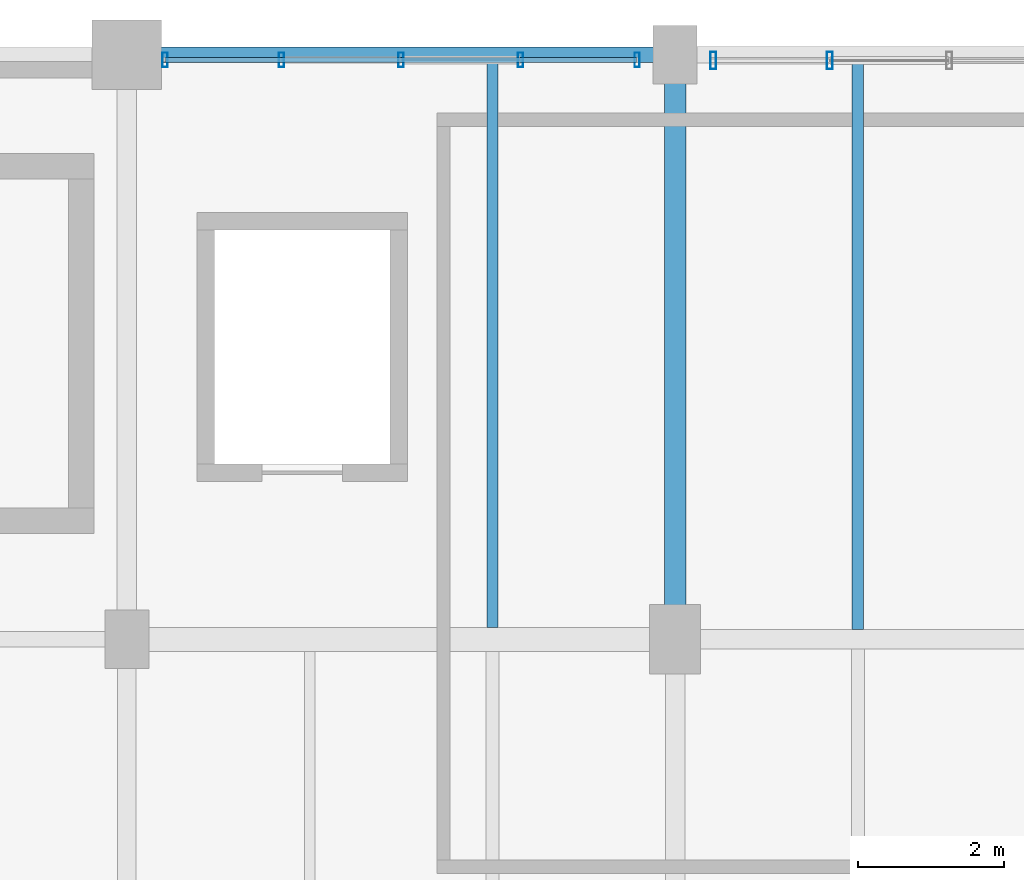
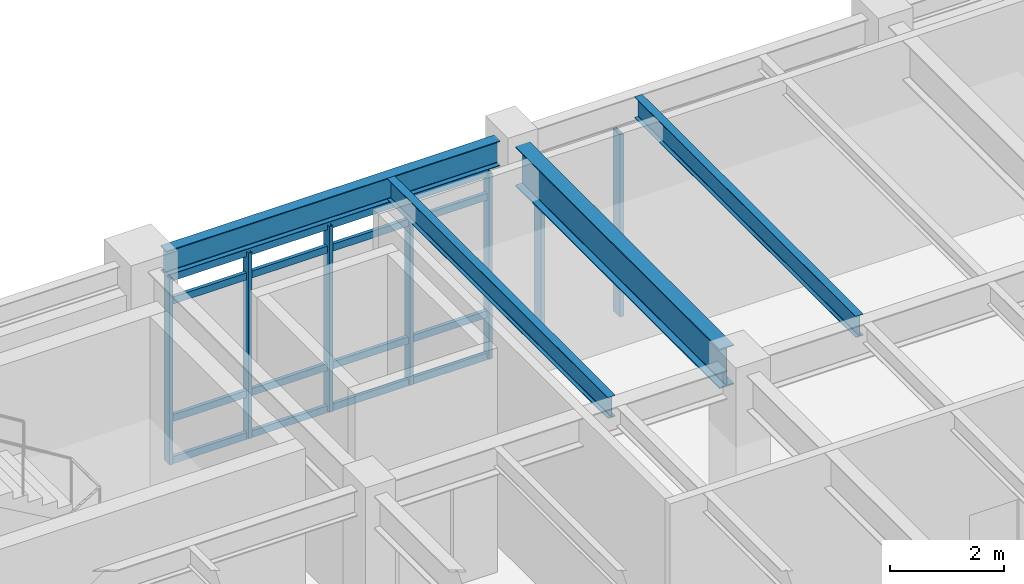
# One storey, part 68 of 200: 11 members, 4 beams, 2 elements without a shape of their own.
"""IFC4 building model written with IfcOpenShell, lengths in metres."""

from ifc_helpers import new_model, si_unit, direction, frame, origin, origin_2d, place, context, subcontext, project, spatial, hollow_rectangle, i_section, extrude, material, material_profile, profile_set, type_object, element, aggregate, save


model = new_model("IFC4")

# Units and contexts
model_context = context("Model", 3, precision=1e-05, world=origin(), true_north=direction((0.0, 1.0)))
body_context = subcontext(model_context, "Body", "Model", "MODEL_VIEW")
ifc_project = project(units=[si_unit("LENGTHUNIT", "METRE"), si_unit("AREAUNIT", "SQUARE_METRE"), si_unit("VOLUMEUNIT", "CUBIC_METRE"), si_unit("PLANEANGLEUNIT", "RADIAN"), si_unit("MASSUNIT", "GRAM", prefix="KILO"), si_unit("THERMODYNAMICTEMPERATUREUNIT", "KELVIN"), si_unit("POWERUNIT", "WATT")], contexts=[model_context])

# Site, building, storey
site_placement = place(None, origin())
site = spatial("IfcSite", under=ifc_project, at=site_placement, CompositionType="ELEMENT")
building_placement = place(site_placement, origin())
building = spatial("IfcBuilding", under=site, at=building_placement, Name="Tepalcoro Natatorium and Aquatics Centre", CompositionType="ELEMENT")
storey_placement = place(building_placement, frame((0.0, 0.0, 5.39990234375)))
storey = spatial("IfcBuildingStorey", under=building, at=storey_placement, Name="L01", CompositionType="ELEMENT", Elevation=5.39990234375)

# Beam
ifc_material_1 = material(Name="Steel ASTM A992 Grade 50 (Fy 345 MPa)", Category="steel")
ifc_material_profile_1 = material_profile(ifc_material_1, i_section(OverallWidth=0.2919921875, OverallDepth=0.845947265625, WebThickness=0.014892578125, FlangeThickness=0.02392578125, FilletRadius=0.013916015625, at=origin_2d()), Name="W33X141")
ifc_profile_set_1 = profile_set([ifc_material_profile_1], Name="Steel ASTM A992 Grade 50 (Fy 345 MPa)")
beam_type_1 = type_object("IfcBeamType", Name="BM_W33x141", PredefinedType="BEAM", material=ifc_profile_set_1)
beam_1_placement = place(storey_placement, frame((28.5, 110.4599609375, 4.14208984375), z_axis=(0.0, 1.0, 0.0), x_axis=(-1.0, 0.0, 0.0)))
element("IfcBeam", 1, at=beam_1_placement, inside=storey, type_object=beam_type_1, Name="V4 L01 Grid Girder Y", PredefinedType="BEAM", context=body_context, shape_type="SweptSolid", body=[
    extrude(i_section(OverallWidth=0.2919921875, OverallDepth=0.845947265625, WebThickness=0.014892578125, FlangeThickness=0.02392578125, FilletRadius=0.013916015625, at=origin_2d()), origin(), (0.0, 0.0, 1.0), 7.155029296875),
])

# Curtain wall, members
ifc_material_2 = material(Name="Bronze-Anodised Extruded Aluminium Alloy EN AW-6063 T6", Category="aluminium")
curtain_wall_type_1 = type_object("IfcCurtainWallType", Name="CW_LEAN_T1_EW", PredefinedType="USERDEFINED", material=ifc_material_2)
curtain_wall_1_placement = place(storey_placement, origin())
curtain_wall_1 = element("IfcCurtainWall", 2, at=curtain_wall_1_placement, inside=storey, type_object=curtain_wall_type_1, Name="V4 L01 N Unitised Curtain Wall Bay 2", ObjectType="FACETED SOLAR GLAZING", PredefinedType="USERDEFINED")
ifc_material_profile_2 = material_profile(ifc_material_2, hollow_rectangle(XDim=0.070068359375, YDim=0.199951171875, WallThickness=0.0048828125, at=origin_2d()), Name="AL70X200X5")
ifc_profile_set_2 = profile_set([ifc_material_profile_2], Name="Bronze-Anodised Extruded Aluminium Alloy EN AW-6063 T6")
member_type_1 = type_object("IfcMemberType", Name="CW_MUL_70x200", PredefinedType="MULLION", material=ifc_profile_set_2)
member_1_placement = place(storey_placement, frame((21.52001953125, 117.9287109375, 0.02001953125), z_axis=(0.0, 0.0, 1.0), x_axis=(1.0, 0.0, 0.0)))
member_1 = element("IfcMember", 3, at=member_1_placement, type_object=member_type_1, Name="CW_LEAN_T1_EW Curtain Wall Mullion", PredefinedType="MULLION", context=body_context, shape_type="SweptSolid", body=[
    extrude(hollow_rectangle(XDim=0.070068359375, YDim=0.199951171875, WallThickness=0.0048828125, at=origin_2d()), origin(), (0.0, 0.0, 1.0), 3.97412109375),
])
member_2_placement = place(storey_placement, frame((23.114990234375, 117.9287109375, 0.02001953125), z_axis=(0.0, 0.0, 1.0), x_axis=(1.0, 0.0, 0.0)))
member_2 = element("IfcMember", 4, at=member_2_placement, type_object=member_type_1, Name="CW_LEAN_T1_EW Curtain Wall Mullion", PredefinedType="MULLION", context=body_context, shape_type="SweptSolid", body=[
    extrude(hollow_rectangle(XDim=0.070068359375, YDim=0.199951171875, WallThickness=0.0048828125, at=origin_2d()), origin(), (0.0, 0.0, 1.0), 3.97412109375),
])
member_3_placement = place(storey_placement, frame((24.75, 117.9287109375, 0.02001953125), z_axis=(0.0, 0.0, 1.0), x_axis=(1.0, 0.0, 0.0)))
member_3 = element("IfcMember", 5, at=member_3_placement, type_object=member_type_1, Name="CW_LEAN_T1_EW Curtain Wall Mullion", PredefinedType="MULLION", context=body_context, shape_type="SweptSolid", body=[
    extrude(hollow_rectangle(XDim=0.070068359375, YDim=0.199951171875, WallThickness=0.0048828125, at=origin_2d()), origin(), (0.0, 0.0, 1.0), 3.97412109375),
])
member_4_placement = place(storey_placement, frame((26.385009765625, 117.9287109375, 0.02001953125), z_axis=(0.0, 0.0, 1.0), x_axis=(1.0, 0.0, 0.0)))
member_4 = element("IfcMember", 6, at=member_4_placement, type_object=member_type_1, Name="CW_LEAN_T1_EW Curtain Wall Mullion", PredefinedType="MULLION", context=body_context, shape_type="SweptSolid", body=[
    extrude(hollow_rectangle(XDim=0.070068359375, YDim=0.199951171875, WallThickness=0.0048828125, at=origin_2d()), origin(), (0.0, 0.0, 1.0), 3.97412109375),
])
member_5_placement = place(storey_placement, frame((27.97998046875, 117.9287109375, 0.02001953125), z_axis=(0.0, 0.0, 1.0), x_axis=(1.0, 0.0, 0.0)))
member_5 = element("IfcMember", 7, at=member_5_placement, type_object=member_type_1, Name="CW_LEAN_T1_EW Curtain Wall Mullion", PredefinedType="MULLION", context=body_context, shape_type="SweptSolid", body=[
    extrude(hollow_rectangle(XDim=0.070068359375, YDim=0.199951171875, WallThickness=0.0048828125, at=origin_2d()), origin(), (0.0, 0.0, 1.0), 3.97412109375),
])

curtain_wall_type_2 = type_object("IfcCurtainWallType", Name="CW_LEAN_T2_NS", PredefinedType="USERDEFINED", material=ifc_material_2)
curtain_wall_2_placement = place(storey_placement, origin())
curtain_wall_2 = element("IfcCurtainWall", 8, at=curtain_wall_2_placement, inside=storey, type_object=curtain_wall_type_2, Name="V4 L01 N Unitised Curtain Wall Bay 3", ObjectType="FACETED SOLAR GLAZING", PredefinedType="USERDEFINED")
ifc_material_profile_3 = material_profile(ifc_material_2, hollow_rectangle(XDim=0.080078125, YDim=0.239990234375, WallThickness=0.0048828125, at=origin_2d()), Name="AL80X240X5")
ifc_profile_set_3 = profile_set([ifc_material_profile_3], Name="Bronze-Anodised Extruded Aluminium Alloy EN AW-6063 T6")
member_type_2 = type_object("IfcMemberType", Name="CW_MUL_80x240", PredefinedType="MULLION", material=ifc_profile_set_3)
member_6_placement = place(storey_placement, frame((29.02001953125, 117.919921875, 0.02001953125), z_axis=(0.0, 0.0, 1.0), x_axis=(1.0, 0.0, 0.0)))
member_6 = element("IfcMember", 9, at=member_6_placement, type_object=member_type_2, Name="CW_LEAN_T2_NS Curtain Wall Mullion", PredefinedType="MULLION", context=body_context, shape_type="SweptSolid", body=[
    extrude(hollow_rectangle(XDim=0.080078125, YDim=0.239990234375, WallThickness=0.0048828125, at=origin_2d()), origin(), (0.0, 0.0, 1.0), 3.898193359375),
])
member_7_placement = place(storey_placement, frame((30.614990234375, 117.919921875, 0.02001953125), z_axis=(0.0, 0.0, 1.0), x_axis=(1.0, 0.0, 0.0)))
member_7 = element("IfcMember", 10, at=member_7_placement, type_object=member_type_2, Name="CW_LEAN_T2_NS Curtain Wall Mullion", PredefinedType="MULLION", context=body_context, shape_type="SweptSolid", body=[
    extrude(hollow_rectangle(XDim=0.080078125, YDim=0.239990234375, WallThickness=0.0048828125, at=origin_2d()), origin(), (0.0, 0.0, 1.0), 3.898193359375),
])
aggregate(curtain_wall_2, [member_6, member_7])

# Member
ifc_material_profile_4 = material_profile(ifc_material_2, hollow_rectangle(XDim=0.070068359375, YDim=0.14990234375, WallThickness=0.00390625, at=origin_2d()), Name="AL70X150X4")
ifc_profile_set_4 = profile_set([ifc_material_profile_4], Name="Bronze-Anodised Extruded Aluminium Alloy EN AW-6063 T6")
member_type_3 = type_object("IfcMemberType", Name="CW_TRN_70x150", PredefinedType="USERDEFINED", material=ifc_profile_set_4)
member_8_placement = place(storey_placement, frame((21.530029296875, 117.9287109375, 0.050048828125), z_axis=(1.0, 0.0, 0.0), x_axis=(0.0, 1.0, 0.0)))
member_8 = element("IfcMember", 11, at=member_8_placement, type_object=member_type_3, Name="CW_LEAN_T1_EW Curtain Wall Transom", ObjectType="TRANSOM", PredefinedType="USERDEFINED", context=body_context, shape_type="SweptSolid", body=[
    extrude(hollow_rectangle(XDim=0.070068359375, YDim=0.14990234375, WallThickness=0.00390625, at=origin_2d()), origin(), (0.0, 0.0, 1.0), 6.43994140625),
])

member_9_placement = place(storey_placement, frame((21.530029296875, 117.9287109375, 0.9501953125), z_axis=(1.0, 0.0, 0.0), x_axis=(0.0, 1.0, 0.0)))
member_9 = element("IfcMember", 12, at=member_9_placement, type_object=member_type_3, Name="CW_LEAN_T1_EW Curtain Wall Transom", ObjectType="TRANSOM", PredefinedType="USERDEFINED", context=body_context, shape_type="SweptSolid", body=[
    extrude(hollow_rectangle(XDim=0.070068359375, YDim=0.14990234375, WallThickness=0.00390625, at=origin_2d()), origin(), (0.0, 0.0, 1.0), 6.43994140625),
])

member_10_placement = place(storey_placement, frame((21.530029296875, 117.9287109375, 3.464111328125), z_axis=(1.0, 0.0, 0.0), x_axis=(0.0, 1.0, 0.0)))
member_10 = element("IfcMember", 13, at=member_10_placement, type_object=member_type_3, Name="CW_LEAN_T1_EW Curtain Wall Transom", ObjectType="TRANSOM", PredefinedType="USERDEFINED", context=body_context, shape_type="SweptSolid", body=[
    extrude(hollow_rectangle(XDim=0.070068359375, YDim=0.14990234375, WallThickness=0.00390625, at=origin_2d()), origin(), (0.0, 0.0, 1.0), 6.43994140625),
])

member_11_placement = place(storey_placement, frame((21.530029296875, 117.9287109375, 3.964111328125), z_axis=(1.0, 0.0, 0.0), x_axis=(0.0, 1.0, 0.0)))
member_11 = element("IfcMember", 14, at=member_11_placement, type_object=member_type_3, Name="CW_LEAN_T1_EW Curtain Wall Transom", ObjectType="TRANSOM", PredefinedType="USERDEFINED", context=body_context, shape_type="SweptSolid", body=[
    extrude(hollow_rectangle(XDim=0.070068359375, YDim=0.14990234375, WallThickness=0.00390625, at=origin_2d()), origin(), (0.0, 0.0, 1.0), 6.43994140625),
])

aggregate(curtain_wall_1, [member_1, member_2, member_3, member_4, member_5, member_8, member_9, member_10, member_11])

# Beams
ifc_material_profile_5 = material_profile(ifc_material_1, i_section(OverallWidth=0.153076171875, OverallDepth=0.455078125, WebThickness=0.008056640625, FlangeThickness=0.012939453125, FilletRadius=0.013916015625, at=origin_2d()), Name="W18X40")
ifc_profile_set_5 = profile_set([ifc_material_profile_5], Name="Steel ASTM A992 Grade 50 (Fy 345 MPa)")
beam_type_2 = type_object("IfcBeamType", Name="JS_W18x40", PredefinedType="JOIST", material=ifc_profile_set_5)
beam_2_placement = place(storey_placement, frame((26.0, 110.16259765625, 4.337646484375), z_axis=(0.0, 1.0, 0.0), x_axis=(-1.0, 0.0, 0.0)))
element("IfcBeam", 15, at=beam_2_placement, inside=storey, type_object=beam_type_2, Name="V4 L01 Floor Joist", PredefinedType="JOIST", context=body_context, shape_type="SweptSolid", body=[
    extrude(i_section(OverallWidth=0.153076171875, OverallDepth=0.455078125, WebThickness=0.008056640625, FlangeThickness=0.012939453125, FilletRadius=0.013916015625, at=origin_2d()), origin(), (0.0, 0.0, 1.0), 7.732421875),
])
beam_3_placement = place(storey_placement, frame((31.0, 110.133544921875, 4.337646484375), z_axis=(0.0, 1.0, 0.0), x_axis=(-1.0, 0.0, 0.0)))
element("IfcBeam", 16, at=beam_3_placement, inside=storey, type_object=beam_type_2, Name="V4 L01 Floor Joist", PredefinedType="JOIST", context=body_context, shape_type="SweptSolid", body=[
    extrude(i_section(OverallWidth=0.153076171875, OverallDepth=0.455078125, WebThickness=0.008056640625, FlangeThickness=0.012939453125, FilletRadius=0.013916015625, at=origin_2d()), origin(), (0.0, 0.0, 1.0), 7.751953125),
])
ifc_material_profile_6 = material_profile(ifc_material_1, i_section(OverallWidth=0.2099609375, OverallDepth=0.535888671875, WebThickness=0.010986328125, FlangeThickness=0.01708984375, FilletRadius=0.013916015625, at=origin_2d()), Name="W21X68")
ifc_profile_set_6 = profile_set([ifc_material_profile_6], Name="Steel ASTM A992 Grade 50 (Fy 345 MPa)")
beam_type_3 = type_object("IfcBeamType", Name="SP_W21x68", PredefinedType="SPANDREL", material=ifc_profile_set_6)
beam_4_placement = place(storey_placement, frame((21.4599609375, 118.0, 4.297119140625), z_axis=(1.0, 0.0, 0.0), x_axis=(0.0, 1.0, 0.0)))
element("IfcBeam", 17, at=beam_4_placement, inside=storey, type_object=beam_type_3, Name="V4 L01 Grid Girder X", PredefinedType="SPANDREL", context=body_context, shape_type="SweptSolid", body=[
    extrude(i_section(OverallWidth=0.2099609375, OverallDepth=0.535888671875, WebThickness=0.010986328125, FlangeThickness=0.01708984375, FilletRadius=0.013916015625, at=origin_2d()), origin(), (0.0, 0.0, 1.0), 6.755126953125),
])

save(model, "model.ifc")
